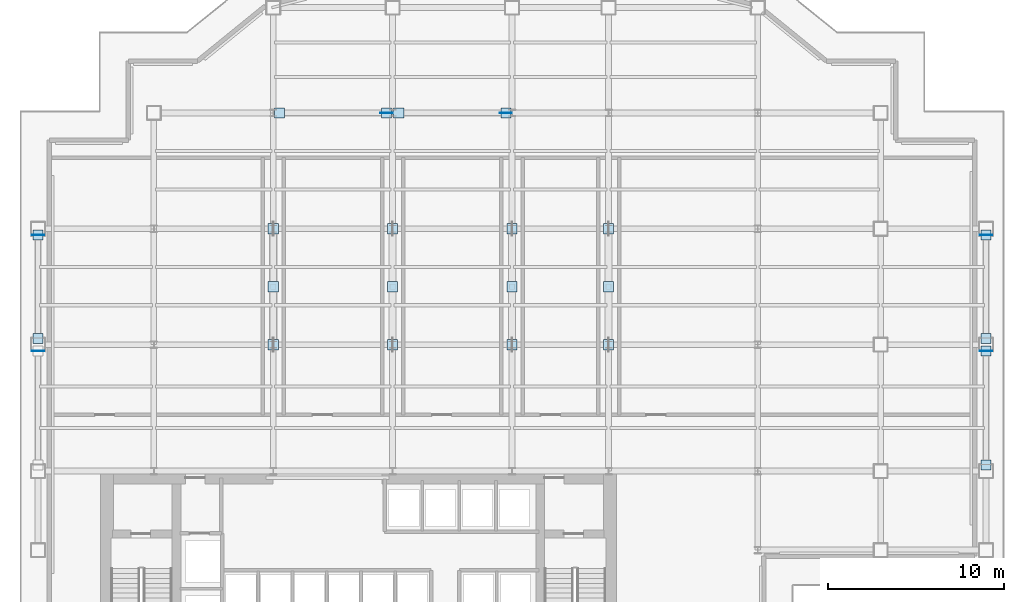
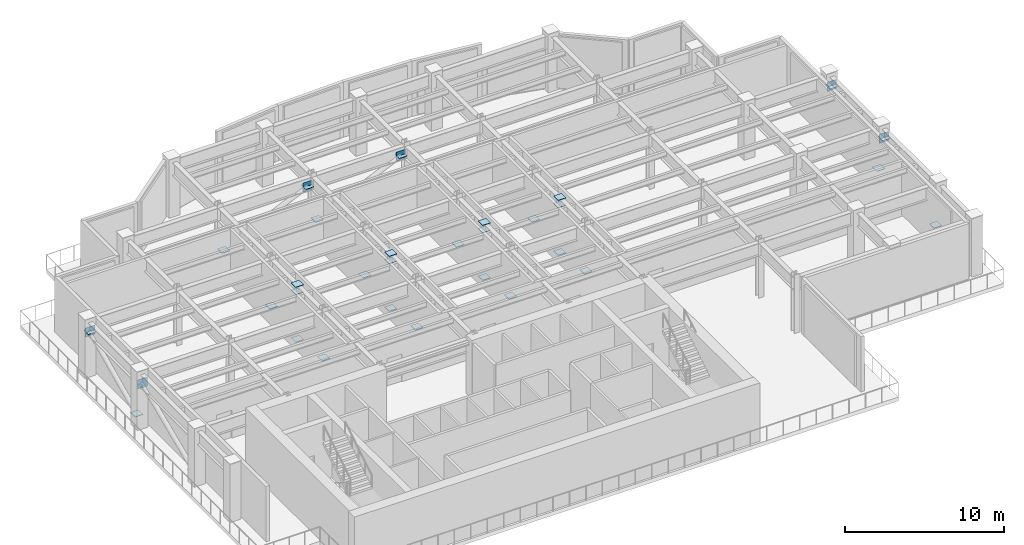
# One storey, part 7 of 12: 36 plates.
"""IFC4 building model written with IfcOpenShell, lengths in metres."""

from ifc_helpers import new_model, si_unit, derived_unit, direction, frame, origin, origin_2d, place, context, subcontext, project, spatial, rectangle, extrude, source, transform, mapped, material, layer, layer_set, type_object, element, save


model = new_model("IFC4")

# Units and contexts
model_context = context("Model", 3, precision=1e-05, world=origin(), true_north=direction((0.0, 1.0)))
body_context = subcontext(model_context, "Body", "Model", "MODEL_VIEW")
ifc_project = project(units=[si_unit("LENGTHUNIT", "METRE"), si_unit("AREAUNIT", "SQUARE_METRE"), si_unit("VOLUMEUNIT", "CUBIC_METRE"), si_unit("PLANEANGLEUNIT", "RADIAN"), si_unit("MASSUNIT", "GRAM", prefix="KILO"), derived_unit("THERMALTRANSMITTANCEUNIT", [(si_unit("POWERUNIT", "WATT"), 1), (si_unit("LENGTHUNIT", "METRE"), -2), (si_unit("THERMODYNAMICTEMPERATUREUNIT", "KELVIN"), -1)])], contexts=[model_context])

# Site, building, storey
site_placement = place(None, origin())
site = spatial("IfcSite", under=ifc_project, at=site_placement, CompositionType="ELEMENT")
building_placement = place(site_placement, origin())
building = spatial("IfcBuilding", under=site, at=building_placement, Name="Skarnbrae Concourse Arena and Tower", CompositionType="ELEMENT")
storey_placement = place(building_placement, frame((0.0, 0.0, 136.10009765625)))
storey = spatial("IfcBuildingStorey", under=building, at=storey_placement, Name="L34", CompositionType="ELEMENT", Elevation=136.10009765625)

# Plates
ifc_material = material(Name="Steel CSA G40.21 350W", Category="steel")
ifc_layer_1 = layer(ifc_material, 0.031982421875)
ifc_layer_set_1 = layer_set([ifc_layer_1], Name="Steel CSA G40.21 350W")
plate_type_1 = type_object("IfcPlateType", Name="PLT-CAP-HOLLOW", PredefinedType="USERDEFINED", material=ifc_layer_set_1)
shared_shape_1 = source(origin(), body_context, "Body", "SweptSolid", [
    extrude(rectangle(XDim=0.580078125, YDim=0.580078125, at=origin_2d()), origin(), (0.0, 0.0, 1.0), 0.031982421875),
])
for number, where, z_axis, x_axis, name in (
    (1, (14.39990234375, 21.199951171875, 0.53369140625), (0.0, 0.0, 1.0), (1.0, 0.0, 0.0), "L34 Outrigger cap plate O1.1A"),
    (2, (14.39990234375, 24.5, 3.6337890625), (0.0, 0.0, 1.0), (1.0, 0.0, 0.0), "L34 Outrigger cap plate O1.1B"),
    (3, (14.39990234375, 27.800048828125, 0.53369140625), (0.0, 0.0, 1.0), (1.0, 0.0, 0.0), "L34 Outrigger cap plate O1.2B"),
    (4, (21.199951171875, 21.199951171875, 0.53369140625), (0.0, 0.0, 1.0), (1.0, 0.0, 0.0), "L34 Outrigger cap plate O2.1A"),
    (5, (21.199951171875, 24.5, 3.6337890625), (0.0, 0.0, 1.0), (1.0, 0.0, 0.0), "L34 Outrigger cap plate O2.1B"),
    (6, (21.199951171875, 27.800048828125, 0.53369140625), (0.0, 0.0, 1.0), (1.0, 0.0, 0.0), "L34 Outrigger cap plate O2.2B"),
    (7, (28.0, 21.199951171875, 0.53369140625), (0.0, 0.0, 1.0), (1.0, 0.0, 0.0), "L34 Outrigger cap plate O3.1A"),
    (8, (28.0, 24.5, 3.6337890625), (0.0, 0.0, 1.0), (1.0, 0.0, 0.0), "L34 Outrigger cap plate O3.1B"),
    (9, (28.0, 27.800048828125, 0.53369140625), (0.0, 0.0, 1.0), (1.0, 0.0, 0.0), "L34 Outrigger cap plate O3.2B"),
    (10, (33.5, 21.199951171875, 0.53369140625), (0.0, 0.0, 1.0), (1.0, 0.0, 0.0), "L34 Outrigger cap plate O4.1A"),
    (11, (33.5, 24.5, 3.6337890625), (0.0, 0.0, 1.0), (1.0, 0.0, 0.0), "L34 Outrigger cap plate O4.1B"),
    (12, (33.5, 27.800048828125, 0.53369140625), (0.0, 0.0, 1.0), (1.0, 0.0, 0.0), "L34 Outrigger cap plate O4.2B"),
    (13, (1.0, 21.548583984375, 0.69775390625), (0.0, 0.0, 1.0), (1.0, 0.0, 0.0), "L34 Belt truss cap plate B02A"),
    (14, (1.0, 27.451416015625, 3.47021484375), (0.0, 0.0, 1.0), (1.0, 0.0, 0.0), "L34 Belt truss cap plate B02B"),
    (15, (55.0, 14.353515625, 0.68603515625), (0.0, 0.0, 1.0), (1.0, 0.0, 0.0), "L34 Belt truss cap plate B03A"),
    (16, (55.0, 20.846435546875, 3.4814453125), (0.0, 0.0, 1.0), (1.0, 0.0, 0.0), "L34 Belt truss cap plate B03B"),
    (17, (55.0, 21.548583984375, 0.69775390625), (0.0, 0.0, 1.0), (1.0, 0.0, 0.0), "L34 Belt truss cap plate B04A"),
    (18, (55.0, 27.451416015625, 3.47021484375), (0.0, 0.0, 1.0), (1.0, 0.0, 0.0), "L34 Belt truss cap plate B04B"),
    (19, (14.750244140625, 34.39990234375, 0.69384765625), (0.0, 0.0, 1.0), (1.0, 0.0, 0.0), "L34 Belt truss cap plate B05A"),
    (20, (20.849609375, 34.39990234375, 3.47412109375), (0.0, 0.0, 1.0), (1.0, 0.0, 0.0), "L34 Belt truss cap plate B05B"),
    (21, (21.55029296875, 34.39990234375, 0.69384765625), (0.0, 0.0, 1.0), (1.0, 0.0, 0.0), "L34 Belt truss cap plate B06A"),
    (22, (27.649658203125, 34.39990234375, 3.47412109375), (0.0, 0.0, 1.0), (1.0, 0.0, 0.0), "L34 Belt truss cap plate B06B"),
    (23, (14.39990234375, 24.5, -0.03125), (0.0, 0.0, 1.0), (1.0, 0.0, 0.0), "L34 Outrigger post bottom cap plate 05"),
    (24, (14.39990234375, 24.5, 4.19873046875), (0.0, 0.0, 1.0), (1.0, 0.0, 0.0), "L34 Outrigger post top cap plate 05"),
    (25, (21.199951171875, 24.5, -0.03125), (0.0, 0.0, 1.0), (1.0, 0.0, 0.0), "L34 Outrigger post bottom cap plate 06"),
    (26, (21.199951171875, 24.5, 4.19873046875), (0.0, 0.0, 1.0), (1.0, 0.0, 0.0), "L34 Outrigger post top cap plate 06"),
    (27, (28.0, 24.5, -0.03125), (0.0, 0.0, 1.0), (1.0, 0.0, 0.0), "L34 Outrigger post bottom cap plate 07"),
    (28, (28.0, 24.5, 4.19873046875), (0.0, 0.0, 1.0), (1.0, 0.0, 0.0), "L34 Outrigger post top cap plate 07"),
    (29, (33.5, 24.5, -0.03125), (0.0, 0.0, 1.0), (1.0, 0.0, 0.0), "L34 Outrigger post bottom cap plate 08"),
    (30, (33.5, 24.5, 4.19873046875), (0.0, 0.0, 1.0), (1.0, 0.0, 0.0), "L34 Outrigger post top cap plate 08"),
):
    element("IfcPlate", number, at=place(storey_placement, frame(where, z_axis=z_axis, x_axis=x_axis)), inside=storey, type_object=plate_type_1, Name=name, ObjectType="CAP PLATE", PredefinedType="USERDEFINED", context=body_context, shape_type="MappedRepresentation", body=[
        mapped(shared_shape_1, transform((0.0, 0.0, 0.0))),
    ])
ifc_layer_2 = layer(ifc_material, 0.034912109375)
ifc_layer_set_2 = layer_set([ifc_layer_2], Name="Steel CSA G40.21 350W")
plate_type_2 = type_object("IfcPlateType", Name="PLT-NODE-BELT", PredefinedType="USERDEFINED", material=ifc_layer_set_2)
shared_shape_2 = source(origin(), body_context, "Body", "SweptSolid", [
    extrude(rectangle(XDim=0.699951171875, YDim=0.034912109375, at=origin_2d()), origin(), (0.0, 0.0, 1.0), 0.699951171875),
])
for number, where, z_axis, x_axis, name in (
    (31, (1.0, 20.846435546875, 3.1474609375), (0.0, 0.0, 1.0), (1.0, 0.0, 0.0), "L34 Belt truss node gusset plate ND-BT-01 #01"),
    (32, (1.0, 27.451416015625, 3.13623046875), (0.0, 0.0, 1.0), (1.0, 0.0, 0.0), "L34 Belt truss node gusset plate ND-BT-01 #02"),
    (33, (55.0, 20.846435546875, 3.1474609375), (0.0, 0.0, 1.0), (1.0, 0.0, 0.0), "L34 Belt truss node gusset plate ND-BT-01 #03"),
    (34, (55.0, 27.451416015625, 3.13623046875), (0.0, 0.0, 1.0), (1.0, 0.0, 0.0), "L34 Belt truss node gusset plate ND-BT-01 #04"),
    (35, (20.849609375, 34.39990234375, 3.14013671875), (0.0, 0.0, 1.0), (1.0, 0.0, 0.0), "L34 Belt truss node gusset plate ND-BT-01 #05"),
    (36, (27.649658203125, 34.39990234375, 3.14013671875), (0.0, 0.0, 1.0), (1.0, 0.0, 0.0), "L34 Belt truss node gusset plate ND-BT-01 #06"),
):
    element("IfcPlate", number, at=place(storey_placement, frame(where, z_axis=z_axis, x_axis=x_axis)), inside=storey, type_object=plate_type_2, Name=name, ObjectType="GUSSET PLATE", PredefinedType="USERDEFINED", context=body_context, shape_type="MappedRepresentation", body=[
        mapped(shared_shape_2, transform((0.0, 0.0, 0.0))),
    ])

save(model, "model.ifc")
